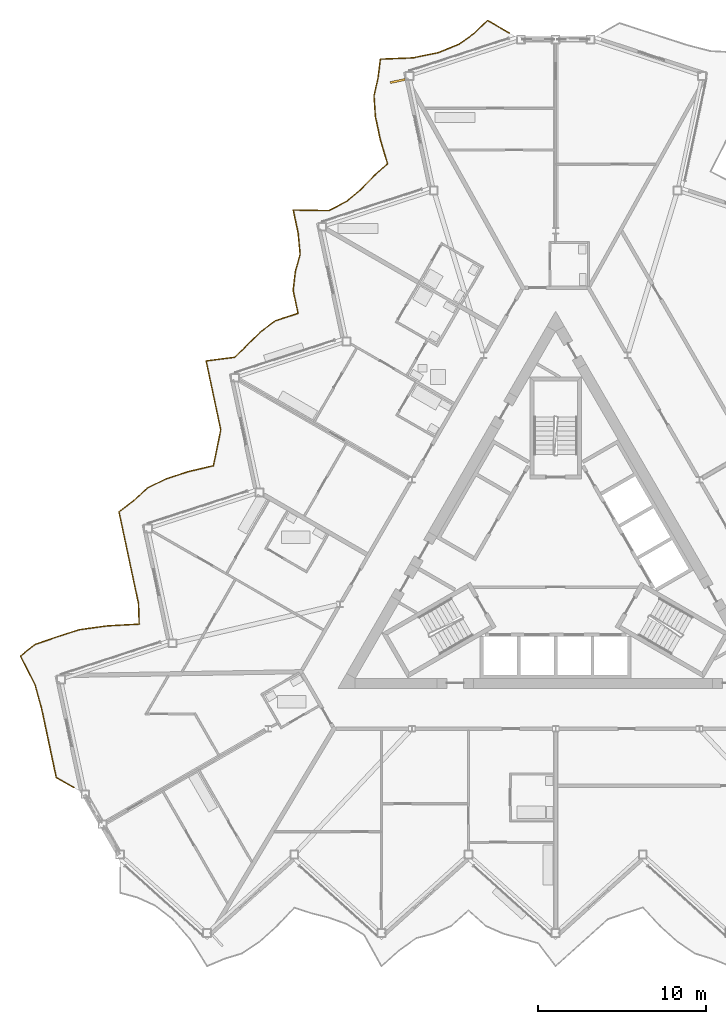
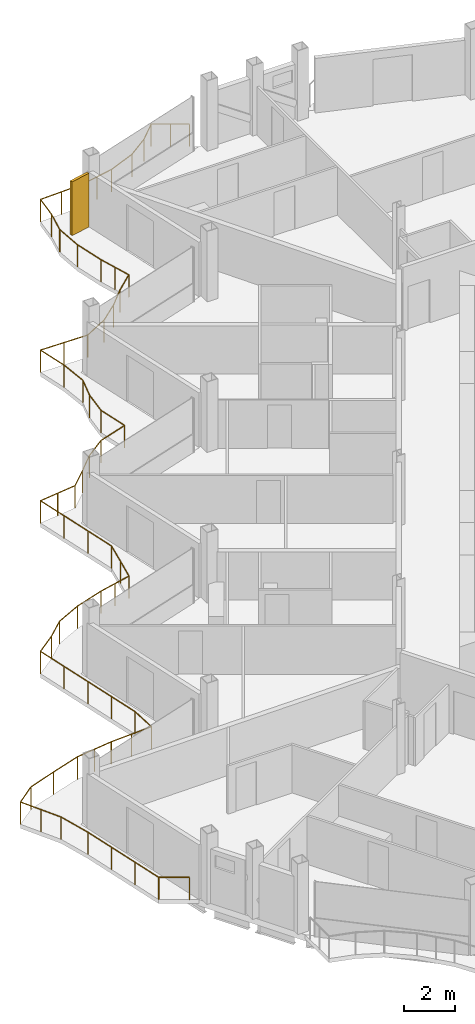
# One storey, part 24 of 26: 1 railing, 1 shading device.
"""IFC4 building model written with IfcOpenShell, lengths in metres."""

from ifc_helpers import new_model, si_unit, direction, frame, origin, origin_2d, place, context, subcontext, project, spatial, rectangle, circle, extrude, material, layer, layer_set, type_object, element, save


model = new_model("IFC4")

# Units and contexts
model_context = context("Model", 3, precision=1e-05, world=origin(), true_north=direction((0.0, 1.0)))
body_context = subcontext(model_context, "Body", "Model", "MODEL_VIEW")
ifc_project = project(units=[si_unit("LENGTHUNIT", "METRE"), si_unit("AREAUNIT", "SQUARE_METRE"), si_unit("VOLUMEUNIT", "CUBIC_METRE"), si_unit("PLANEANGLEUNIT", "RADIAN"), si_unit("MASSUNIT", "GRAM", prefix="KILO")], contexts=[model_context])

# Site, building, storey
site_placement = place(None, origin())
site = spatial("IfcSite", under=ifc_project, at=site_placement, CompositionType="ELEMENT")
building_placement = place(site_placement, origin())
building = spatial("IfcBuilding", under=site, at=building_placement, Name="Cormorant Prow Tower", CompositionType="ELEMENT")
storey_placement = place(building_placement, frame((0.0, 0.0, 381.39990234375)))
storey = spatial("IfcBuildingStorey", under=building, at=storey_placement, Name="L86", CompositionType="ELEMENT", Elevation=381.39990234375)

# Railing
ifc_material_1 = material(Name="Aluminium 6063-T6", Category="aluminium")
railing_type = type_object("IfcRailingType", Name="Balcony guard 1100", PredefinedType="GUARDRAIL", material=ifc_material_1)
railing_placement = place(storey_placement, frame((-2.752685546875, 31.611572265625, 0.0)))
element("IfcRailing", 1, at=railing_placement, inside=storey, type_object=railing_type, Name="Balcony guard WNW", PredefinedType="GUARDRAIL", context=body_context, shape_type="SweptSolid", body=[
    extrude(circle(Radius=0.02392578125, at=origin_2d()), frame((0.0, 0.0, 1.076171875), z_axis=(-0.866030456496, 0.499991248344, 0.0), x_axis=(-0.499991248344, -0.866030456496, 0.0)), (0.0, 0.0, 1.0), 1.52001953125),
    extrude(circle(Radius=0.02392578125, at=origin_2d()), frame((-1.31640625, 0.760009765625, 1.076171875), z_axis=(-0.710157290995, -0.704043054114, 0.0), x_axis=(0.704043054114, -0.710157290995, 0.0)), (0.0, 0.0, 1.0), 1.078125),
    extrude(circle(Radius=0.02392578125, at=origin_2d()), frame((-2.08203125, 0.0009765625, 1.076171875), z_axis=(-0.81488585966, -0.579621458993, 0.0), x_axis=(0.579621458993, -0.81488585966, 0.0)), (0.0, 0.0, 1.0), 1.1435546875),
    extrude(circle(Radius=0.02392578125, at=origin_2d()), frame((-3.013916015625, -0.661865234375, 1.076171875), z_axis=(-0.925200391586, -0.379478899821, 0.0), x_axis=(0.379478899821, -0.925200391586, 0.0)), (0.0, 0.0, 1.0), 1.314453125),
    extrude(circle(Radius=0.02392578125, at=origin_2d()), frame((-4.22998046875, -1.16064453125, 1.076171875), z_axis=(-0.979535760735, -0.201270200081, 0.0), x_axis=(0.201270200081, -0.979535760735, 0.0)), (0.0, 0.0, 1.0), 1.56591796875),
    extrude(circle(Radius=0.02392578125, at=origin_2d()), frame((-5.763916015625, -1.475830078125, 1.076171875), z_axis=(-0.999226169607, -0.039332708695, 0.0), x_axis=(0.039332708695, -0.999226169607, 0.0)), (0.0, 0.0, 1.0), 1.948974609375),
    extrude(circle(Radius=0.02392578125, at=origin_2d()), frame((-7.71142578125, -1.552490234375, 1.076171875), z_axis=(-0.120976497964, -0.992655371688, 0.0), x_axis=(0.992655371688, -0.120976497964, 0.0)), (0.0, 0.0, 1.0), 1.130126953125),
    extrude(circle(Radius=0.02392578125, at=origin_2d()), frame((-7.84814453125, -2.67431640625, 1.076171875), z_axis=(-0.223269557457, -0.974756741302, 0.0), x_axis=(0.974756741302, -0.223269557457, 0.0)), (0.0, 0.0, 1.0), 1.087890625),
    extrude(circle(Radius=0.02392578125, at=origin_2d()), frame((-8.091064453125, -3.73486328125, 1.076171875), z_axis=(0.066700231917, -0.9977730599, 0.0), x_axis=(0.9977730599, 0.066700231917, 0.0)), (0.0, 0.0, 1.0), 1.251708984375),
    extrude(circle(Radius=0.02392578125, at=origin_2d()), frame((-8.007568359375, -4.98388671875, 1.076171875), z_axis=(0.20777738218, -0.978176139279, 0.0), x_axis=(0.978176139279, 0.20777738218, 0.0)), (0.0, 0.0, 1.0), 1.3994140625),
    extrude(circle(Radius=0.02392578125, at=origin_2d()), frame((-7.716796875, -6.352783203125, 1.076171875), z_axis=(0.286134937078, -0.958189332952, 0.0), x_axis=(0.958189332952, 0.286134937078, 0.0)), (0.0, 0.0, 1.0), 1.514404296875),
    extrude(circle(Radius=0.02392578125, at=origin_2d()), frame((-7.283447265625, -7.803955078125, 1.076171875), z_axis=(-0.747433901023, -0.664336182668, 0.0), x_axis=(0.664336182668, -0.747433901023, 0.0)), (0.0, 0.0, 1.0), 1.095947265625),
    extrude(circle(Radius=0.02392578125, at=origin_2d()), frame((-8.1025390625, -8.531982421875, 1.076171875), z_axis=(-0.694232543676, -0.719750773047, 0.0), x_axis=(0.719750773047, -0.694232543676, 0.0)), (0.0, 0.0, 1.0), 1.071533203125),
    extrude(circle(Radius=0.02392578125, at=origin_2d()), frame((-8.846435546875, -9.30322265625, 1.076171875), z_axis=(-0.762042946586, -0.647526484059, 0.0), x_axis=(0.647526484059, -0.762042946586, 0.0)), (0.0, 0.0, 1.0), 1.104248046875),
    extrude(circle(Radius=0.02392578125, at=origin_2d()), frame((-9.68798828125, -10.018310546875, 1.076171875), z_axis=(-0.883254828522, -0.468893279855, 0.0), x_axis=(0.468893279855, -0.883254828522, 0.0)), (0.0, 0.0, 1.0), 1.226806640625),
    extrude(circle(Radius=0.02392578125, at=origin_2d()), frame((-10.771484375, -10.593505859375, 1.076171875), z_axis=(-0.999870634012, 0.016084627427, 0.0), x_axis=(-0.016084627427, -0.999870634012, 0.0)), (0.0, 0.0, 1.0), 2.14013671875),
    extrude(circle(Radius=0.02392578125, at=origin_2d()), frame((-12.911376953125, -10.55908203125, 1.076171875), z_axis=(0.207944297815, -0.978140669335, 0.0), x_axis=(0.978140669335, 0.207944297815, 0.0)), (0.0, 0.0, 1.0), 1.3994140625),
    extrude(circle(Radius=0.02392578125, at=origin_2d()), frame((-12.620361328125, -11.927978515625, 1.076171875), z_axis=(0.093969123422, -0.995575112105, 0.0), x_axis=(0.995575112105, 0.093969123422, 0.0)), (0.0, 0.0, 1.0), 1.275634765625),
    extrude(circle(Radius=0.02392578125, at=origin_2d()), frame((-12.50048828125, -13.197998046875, 1.076171875), z_axis=(-0.265768857958, -0.964036780491, 0.0), x_axis=(0.964036780491, -0.265768857958, 0.0)), (0.0, 0.0, 1.0), 1.07470703125),
    extrude(circle(Radius=0.02392578125, at=origin_2d()), frame((-12.7861328125, -14.234130859375, 1.076171875), z_axis=(-0.115278367878, -0.993333226012, 0.0), x_axis=(0.993333226012, -0.115278367878, 0.0)), (0.0, 0.0, 1.0), 1.133056640625),
    extrude(circle(Radius=0.02392578125, at=origin_2d()), frame((-12.916748046875, -15.359619140625, 1.076171875), z_axis=(0.207979786632, -0.978133124044, 0.0), x_axis=(0.978133124044, 0.207979786632, 0.0)), (0.0, 0.0, 1.0), 1.399169921875),
    extrude(circle(Radius=0.02392578125, at=origin_2d()), frame((-12.625732421875, -16.728271484375, 1.076171875), z_axis=(-0.951028941009, -0.309101849499, 0.0), x_axis=(0.309101849499, -0.951028941009, 0.0)), (0.0, 0.0, 1.0), 1.399658203125),
    extrude(circle(Radius=0.02392578125, at=origin_2d()), frame((-13.956787109375, -17.160888671875, 1.076171875), z_axis=(-0.807107706022, -0.590404226678, 0.0), x_axis=(0.590404226678, -0.807107706022, 0.0)), (0.0, 0.0, 1.0), 1.13671875),
    extrude(circle(Radius=0.02392578125, at=origin_2d()), frame((-14.874267578125, -17.83203125, 1.076171875), z_axis=(-0.702777909554, -0.711409312451, 0.0), x_axis=(0.711409312451, -0.702777909554, 0.0)), (0.0, 0.0, 1.0), 1.074951171875),
    extrude(circle(Radius=0.02392578125, at=origin_2d()), frame((-15.629638671875, -18.5966796875, 1.076171875), z_axis=(-0.71973960261, -0.694244124523, 0.0), x_axis=(0.694244124523, -0.71973960261, 0.0)), (0.0, 0.0, 1.0), 1.08203125),
    extrude(circle(Radius=0.02392578125, at=origin_2d()), frame((-16.408447265625, -19.347900390625, 1.076171875), z_axis=(-0.991921629668, -0.126852199808, 0.0), x_axis=(0.126852199808, -0.991921629668, 0.0)), (0.0, 0.0, 1.0), 1.716796875),
    extrude(circle(Radius=0.02392578125, at=origin_2d()), frame((-18.111328125, -19.565673828125, 1.076171875), z_axis=(0.207944297815, -0.978140669335, 0.0), x_axis=(0.978140669335, 0.207944297815, 0.0)), (0.0, 0.0, 1.0), 1.3994140625),
    extrude(circle(Radius=0.02392578125, at=origin_2d()), frame((-17.8203125, -20.9345703125, 1.076171875), z_axis=(0.207944297815, -0.978140669335, 0.0), x_axis=(0.978140669335, 0.207944297815, 0.0)), (0.0, 0.0, 1.0), 1.3994140625),
    extrude(circle(Radius=0.02392578125, at=origin_2d()), frame((-17.529296875, -22.303466796875, 1.076171875), z_axis=(0.20777738218, -0.978176139279, 0.0), x_axis=(0.978176139279, 0.20777738218, 0.0)), (0.0, 0.0, 1.0), 1.3994140625),
    extrude(circle(Radius=0.02392578125, at=origin_2d()), frame((-17.238525390625, -23.67236328125, 1.076171875), z_axis=(-0.195902319336, -0.980623414609, 0.0), x_axis=(0.980623414609, -0.195902319336, 0.0)), (0.0, 0.0, 1.0), 1.097900390625),
    extrude(circle(Radius=0.02392578125, at=origin_2d()), frame((-17.45361328125, -24.7490234375, 1.076171875), z_axis=(-0.203998769603, -0.978971144621, 0.0), x_axis=(0.978971144621, -0.203998769603, 0.0)), (0.0, 0.0, 1.0), 1.094970703125),
    extrude(circle(Radius=0.02392578125, at=origin_2d()), frame((-17.677001953125, -25.821044921875, 1.076171875), z_axis=(-0.973671491133, -0.227955757452, 0.0), x_axis=(0.227955757452, -0.973671491133, 0.0)), (0.0, 0.0, 1.0), 1.519775390625),
    extrude(circle(Radius=0.02392578125, at=origin_2d()), frame((-19.15673828125, -26.16748046875, 1.076171875), z_axis=(-0.951063554534, -0.308995332064, 0.0), x_axis=(0.308995332064, -0.951063554534, 0.0)), (0.0, 0.0, 1.0), 1.399169921875),
    extrude(circle(Radius=0.02392578125, at=origin_2d()), frame((-20.487548828125, -26.599853515625, 1.076171875), z_axis=(-0.899763253088, -0.43637837755, 0.0), x_axis=(0.43637837755, -0.899763253088, 0.0)), (0.0, 0.0, 1.0), 1.256591796875),
    extrude(circle(Radius=0.02392578125, at=origin_2d()), frame((-21.6181640625, -27.148193359375, 1.076171875), z_axis=(-0.733934542927, -0.679220204866, 0.0), x_axis=(0.679220204866, -0.733934542927, 0.0)), (0.0, 0.0, 1.0), 1.0888671875),
    extrude(circle(Radius=0.02392578125, at=origin_2d()), frame((-22.417236328125, -27.8876953125, 1.076171875), z_axis=(-0.794056234452, -0.607844302867, 0.0), x_axis=(0.607844302867, -0.794056234452, 0.0)), (0.0, 0.0, 1.0), 1.126220703125),
    extrude(circle(Radius=0.02392578125, at=origin_2d()), frame((-23.3115234375, -28.572265625, 1.076171875), z_axis=(0.207944297815, -0.978140669335, 0.0), x_axis=(0.978140669335, 0.207944297815, 0.0)), (0.0, 0.0, 1.0), 1.3994140625),
    extrude(circle(Radius=0.02392578125, at=origin_2d()), frame((-23.0205078125, -29.941162109375, 1.076171875), z_axis=(0.207944297815, -0.978140669335, 0.0), x_axis=(0.978140669335, 0.207944297815, 0.0)), (0.0, 0.0, 1.0), 1.3994140625),
    extrude(circle(Radius=0.02392578125, at=origin_2d()), frame((-22.7294921875, -31.31005859375, 1.076171875), z_axis=(0.207944297815, -0.978140669335, 0.0), x_axis=(0.978140669335, 0.207944297815, 0.0)), (0.0, 0.0, 1.0), 1.3994140625),
    extrude(circle(Radius=0.02392578125, at=origin_2d()), frame((-22.4384765625, -32.678955078125, 1.076171875), z_axis=(0.207944297815, -0.978140669335, 0.0), x_axis=(0.978140669335, 0.207944297815, 0.0)), (0.0, 0.0, 1.0), 1.3994140625),
    extrude(circle(Radius=0.02392578125, at=origin_2d()), frame((-22.1474609375, -34.0478515625, 1.076171875), z_axis=(0.032890054051, -0.999458975819, 0.0), x_axis=(0.999458975819, 0.032890054051, 0.0)), (0.0, 0.0, 1.0), 1.224853515625),
    extrude(circle(Radius=0.02392578125, at=origin_2d()), frame((-22.107177734375, -35.27197265625, 1.076171875), z_axis=(-0.998466276109, -0.055363304387, 0.0), x_axis=(0.055363304387, -0.998466276109, 0.0)), (0.0, 0.0, 1.0), 1.900634765625),
    extrude(circle(Radius=0.02392578125, at=origin_2d()), frame((-24.0048828125, -35.377197265625, 1.076171875), z_axis=(-0.990826668367, -0.13513886655, 0.0), x_axis=(0.13513886655, -0.990826668367, 0.0)), (0.0, 0.0, 1.0), 1.6982421875),
    extrude(circle(Radius=0.02392578125, at=origin_2d()), frame((-25.6875, -35.606689453125, 1.076171875), z_axis=(-0.951080208938, -0.308944066403, 0.0), x_axis=(0.308944066403, -0.951080208938, 0.0)), (0.0, 0.0, 1.0), 1.3994140625),
    extrude(circle(Radius=0.02392578125, at=origin_2d()), frame((-27.0185546875, -36.0390625, 1.076171875), z_axis=(-0.945592977714, -0.325351994767, 0.0), x_axis=(0.325351994767, -0.945592977714, 0.0)), (0.0, 0.0, 1.0), 1.37841796875),
    extrude(circle(Radius=0.02392578125, at=origin_2d()), frame((-28.322021484375, -36.487548828125, 1.076171875), z_axis=(-0.781593284151, -0.62378837611, 0.0), x_axis=(0.62378837611, -0.781593284151, 0.0)), (0.0, 0.0, 1.0), 1.116943359375),
    extrude(circle(Radius=0.02392578125, at=origin_2d()), frame((-29.195068359375, -37.184326171875, 1.076171875), z_axis=(0.456008801075, -0.889975265579, 0.0), x_axis=(0.889975265579, 0.456008801075, 0.0)), (0.0, 0.0, 1.0), 1.916259765625),
    extrude(circle(Radius=0.02392578125, at=origin_2d()), frame((-28.3212890625, -38.8896484375, 1.076171875), z_axis=(0.264792186172, -0.964305500421, 0.0), x_axis=(0.964305500421, 0.264792186172, 0.0)), (0.0, 0.0, 1.0), 1.479736328125),
    extrude(circle(Radius=0.02392578125, at=origin_2d()), frame((-27.929443359375, -40.316650390625, 1.076171875), z_axis=(0.207908820833, -0.978148210764, 0.0), x_axis=(0.978148210764, 0.207908820833, 0.0)), (0.0, 0.0, 1.0), 1.399658203125),
    extrude(circle(Radius=0.02392578125, at=origin_2d()), frame((-27.638427734375, -41.685791015625, 1.076171875), z_axis=(0.207944297815, -0.978140669335, 0.0), x_axis=(0.978140669335, 0.207944297815, 0.0)), (0.0, 0.0, 1.0), 1.3994140625),
    extrude(circle(Radius=0.02392578125, at=origin_2d()), frame((-27.347412109375, -43.0546875, 1.076171875), z_axis=(0.207812845083, -0.978168605823, 0.0), x_axis=(0.978168605823, 0.207812845083, 0.0)), (0.0, 0.0, 1.0), 1.399169921875),
    extrude(circle(Radius=0.02392578125, at=origin_2d()), frame((-27.056640625, -44.42333984375, 1.076171875), z_axis=(0.866005645448, -0.500034220881, 0.0), x_axis=(0.500034220881, 0.866005645448, 0.0)), (0.0, 0.0, 1.0), 1.22021484375),
    extrude(circle(Radius=0.02099609375, at=origin_2d()), origin(), (0.0, 0.0, 1.0), 1.052001953125),
    extrude(circle(Radius=0.02099609375, at=origin_2d()), frame((-0.658203125, 0.3798828125, 0.0)), (0.0, 0.0, 1.0), 1.052001953125),
    extrude(circle(Radius=0.02099609375, at=origin_2d()), frame((-1.31640625, 0.760009765625, 0.0)), (0.0, 0.0, 1.0), 1.052001953125),
    extrude(circle(Radius=0.02099609375, at=origin_2d()), frame((-2.08203125, 0.0009765625, 0.0)), (0.0, 0.0, 1.0), 1.052001953125),
    extrude(circle(Radius=0.02099609375, at=origin_2d()), frame((-3.013916015625, -0.661865234375, 0.0)), (0.0, 0.0, 1.0), 1.052001953125),
    extrude(circle(Radius=0.02099609375, at=origin_2d()), frame((-4.22998046875, -1.16064453125, 0.0)), (0.0, 0.0, 1.0), 1.052001953125),
    extrude(circle(Radius=0.02099609375, at=origin_2d()), frame((-4.9970703125, -1.318359375, 0.0)), (0.0, 0.0, 1.0), 1.052001953125),
    extrude(circle(Radius=0.02099609375, at=origin_2d()), frame((-5.763916015625, -1.475830078125, 0.0)), (0.0, 0.0, 1.0), 1.052001953125),
    extrude(circle(Radius=0.02099609375, at=origin_2d()), frame((-6.73779296875, -1.51416015625, 0.0)), (0.0, 0.0, 1.0), 1.052001953125),
    extrude(circle(Radius=0.02099609375, at=origin_2d()), frame((-7.71142578125, -1.552490234375, 0.0)), (0.0, 0.0, 1.0), 1.052001953125),
    extrude(circle(Radius=0.02099609375, at=origin_2d()), frame((-7.84814453125, -2.67431640625, 0.0)), (0.0, 0.0, 1.0), 1.052001953125),
    extrude(circle(Radius=0.02099609375, at=origin_2d()), frame((-8.091064453125, -3.73486328125, 0.0)), (0.0, 0.0, 1.0), 1.052001953125),
    extrude(circle(Radius=0.02099609375, at=origin_2d()), frame((-8.007568359375, -4.98388671875, 0.0)), (0.0, 0.0, 1.0), 1.052001953125),
    extrude(circle(Radius=0.02099609375, at=origin_2d()), frame((-7.716796875, -6.352783203125, 0.0)), (0.0, 0.0, 1.0), 1.052001953125),
    extrude(circle(Radius=0.02099609375, at=origin_2d()), frame((-7.5, -7.078369140625, 0.0)), (0.0, 0.0, 1.0), 1.052001953125),
    extrude(circle(Radius=0.02099609375, at=origin_2d()), frame((-7.283447265625, -7.803955078125, 0.0)), (0.0, 0.0, 1.0), 1.052001953125),
    extrude(circle(Radius=0.02099609375, at=origin_2d()), frame((-8.1025390625, -8.531982421875, 0.0)), (0.0, 0.0, 1.0), 1.052001953125),
    extrude(circle(Radius=0.02099609375, at=origin_2d()), frame((-8.846435546875, -9.30322265625, 0.0)), (0.0, 0.0, 1.0), 1.052001953125),
    extrude(circle(Radius=0.02099609375, at=origin_2d()), frame((-9.68798828125, -10.018310546875, 0.0)), (0.0, 0.0, 1.0), 1.052001953125),
    extrude(circle(Radius=0.02099609375, at=origin_2d()), frame((-10.771484375, -10.593505859375, 0.0)), (0.0, 0.0, 1.0), 1.052001953125),
    extrude(circle(Radius=0.02099609375, at=origin_2d()), frame((-11.84130859375, -10.576171875, 0.0)), (0.0, 0.0, 1.0), 1.052001953125),
    extrude(circle(Radius=0.02099609375, at=origin_2d()), frame((-12.911376953125, -10.55908203125, 0.0)), (0.0, 0.0, 1.0), 1.052001953125),
    extrude(circle(Radius=0.02099609375, at=origin_2d()), frame((-12.620361328125, -11.927978515625, 0.0)), (0.0, 0.0, 1.0), 1.052001953125),
    extrude(circle(Radius=0.02099609375, at=origin_2d()), frame((-12.50048828125, -13.197998046875, 0.0)), (0.0, 0.0, 1.0), 1.052001953125),
    extrude(circle(Radius=0.02099609375, at=origin_2d()), frame((-12.7861328125, -14.234130859375, 0.0)), (0.0, 0.0, 1.0), 1.052001953125),
    extrude(circle(Radius=0.02099609375, at=origin_2d()), frame((-12.916748046875, -15.359619140625, 0.0)), (0.0, 0.0, 1.0), 1.052001953125),
    extrude(circle(Radius=0.02099609375, at=origin_2d()), frame((-12.625732421875, -16.728271484375, 0.0)), (0.0, 0.0, 1.0), 1.052001953125),
    extrude(circle(Radius=0.02099609375, at=origin_2d()), frame((-13.956787109375, -17.160888671875, 0.0)), (0.0, 0.0, 1.0), 1.052001953125),
    extrude(circle(Radius=0.02099609375, at=origin_2d()), frame((-14.874267578125, -17.83203125, 0.0)), (0.0, 0.0, 1.0), 1.052001953125),
    extrude(circle(Radius=0.02099609375, at=origin_2d()), frame((-15.629638671875, -18.5966796875, 0.0)), (0.0, 0.0, 1.0), 1.052001953125),
    extrude(circle(Radius=0.02099609375, at=origin_2d()), frame((-16.408447265625, -19.347900390625, 0.0)), (0.0, 0.0, 1.0), 1.052001953125),
    extrude(circle(Radius=0.02099609375, at=origin_2d()), frame((-17.259765625, -19.456787109375, 0.0)), (0.0, 0.0, 1.0), 1.052001953125),
    extrude(circle(Radius=0.02099609375, at=origin_2d()), frame((-18.111328125, -19.565673828125, 0.0)), (0.0, 0.0, 1.0), 1.052001953125),
    extrude(circle(Radius=0.02099609375, at=origin_2d()), frame((-17.8203125, -20.9345703125, 0.0)), (0.0, 0.0, 1.0), 1.052001953125),
    extrude(circle(Radius=0.02099609375, at=origin_2d()), frame((-17.529296875, -22.303466796875, 0.0)), (0.0, 0.0, 1.0), 1.052001953125),
    extrude(circle(Radius=0.02099609375, at=origin_2d()), frame((-17.238525390625, -23.67236328125, 0.0)), (0.0, 0.0, 1.0), 1.052001953125),
    extrude(circle(Radius=0.02099609375, at=origin_2d()), frame((-17.45361328125, -24.7490234375, 0.0)), (0.0, 0.0, 1.0), 1.052001953125),
    extrude(circle(Radius=0.02099609375, at=origin_2d()), frame((-17.677001953125, -25.821044921875, 0.0)), (0.0, 0.0, 1.0), 1.052001953125),
    extrude(circle(Radius=0.02099609375, at=origin_2d()), frame((-18.4169921875, -25.994140625, 0.0)), (0.0, 0.0, 1.0), 1.052001953125),
    extrude(circle(Radius=0.02099609375, at=origin_2d()), frame((-19.15673828125, -26.16748046875, 0.0)), (0.0, 0.0, 1.0), 1.052001953125),
    extrude(circle(Radius=0.02099609375, at=origin_2d()), frame((-20.487548828125, -26.599853515625, 0.0)), (0.0, 0.0, 1.0), 1.052001953125),
    extrude(circle(Radius=0.02099609375, at=origin_2d()), frame((-21.6181640625, -27.148193359375, 0.0)), (0.0, 0.0, 1.0), 1.052001953125),
    extrude(circle(Radius=0.02099609375, at=origin_2d()), frame((-22.417236328125, -27.8876953125, 0.0)), (0.0, 0.0, 1.0), 1.052001953125),
    extrude(circle(Radius=0.02099609375, at=origin_2d()), frame((-23.3115234375, -28.572265625, 0.0)), (0.0, 0.0, 1.0), 1.052001953125),
    extrude(circle(Radius=0.02099609375, at=origin_2d()), frame((-23.0205078125, -29.941162109375, 0.0)), (0.0, 0.0, 1.0), 1.052001953125),
    extrude(circle(Radius=0.02099609375, at=origin_2d()), frame((-22.7294921875, -31.31005859375, 0.0)), (0.0, 0.0, 1.0), 1.052001953125),
    extrude(circle(Radius=0.02099609375, at=origin_2d()), frame((-22.4384765625, -32.678955078125, 0.0)), (0.0, 0.0, 1.0), 1.052001953125),
    extrude(circle(Radius=0.02099609375, at=origin_2d()), frame((-22.1474609375, -34.0478515625, 0.0)), (0.0, 0.0, 1.0), 1.052001953125),
    extrude(circle(Radius=0.02099609375, at=origin_2d()), frame((-22.107177734375, -35.27197265625, 0.0)), (0.0, 0.0, 1.0), 1.052001953125),
    extrude(circle(Radius=0.02099609375, at=origin_2d()), frame((-23.05615234375, -35.32470703125, 0.0)), (0.0, 0.0, 1.0), 1.052001953125),
    extrude(circle(Radius=0.02099609375, at=origin_2d()), frame((-24.0048828125, -35.377197265625, 0.0)), (0.0, 0.0, 1.0), 1.052001953125),
    extrude(circle(Radius=0.02099609375, at=origin_2d()), frame((-24.84619140625, -35.491943359375, 0.0)), (0.0, 0.0, 1.0), 1.052001953125),
    extrude(circle(Radius=0.02099609375, at=origin_2d()), frame((-25.6875, -35.606689453125, 0.0)), (0.0, 0.0, 1.0), 1.052001953125),
    extrude(circle(Radius=0.02099609375, at=origin_2d()), frame((-27.0185546875, -36.0390625, 0.0)), (0.0, 0.0, 1.0), 1.052001953125),
    extrude(circle(Radius=0.02099609375, at=origin_2d()), frame((-28.322021484375, -36.487548828125, 0.0)), (0.0, 0.0, 1.0), 1.052001953125),
    extrude(circle(Radius=0.02099609375, at=origin_2d()), frame((-29.195068359375, -37.184326171875, 0.0)), (0.0, 0.0, 1.0), 1.052001953125),
    extrude(circle(Radius=0.02099609375, at=origin_2d()), frame((-28.75830078125, -38.037109375, 0.0)), (0.0, 0.0, 1.0), 1.052001953125),
    extrude(circle(Radius=0.02099609375, at=origin_2d()), frame((-28.3212890625, -38.8896484375, 0.0)), (0.0, 0.0, 1.0), 1.052001953125),
    extrude(circle(Radius=0.02099609375, at=origin_2d()), frame((-27.929443359375, -40.316650390625, 0.0)), (0.0, 0.0, 1.0), 1.052001953125),
    extrude(circle(Radius=0.02099609375, at=origin_2d()), frame((-27.638427734375, -41.685791015625, 0.0)), (0.0, 0.0, 1.0), 1.052001953125),
    extrude(circle(Radius=0.02099609375, at=origin_2d()), frame((-27.347412109375, -43.0546875, 0.0)), (0.0, 0.0, 1.0), 1.052001953125),
    extrude(circle(Radius=0.02099609375, at=origin_2d()), frame((-27.056640625, -44.42333984375, 0.0)), (0.0, 0.0, 1.0), 1.052001953125),
    extrude(circle(Radius=0.02099609375, at=origin_2d()), frame((-26.0, -45.033447265625, 0.0)), (0.0, 0.0, 1.0), 1.052001953125),
])

# Shading device
ifc_material_2 = material(Name="Terracotta", Category="masonry")
ifc_layer = layer(ifc_material_2, 0.1201171875)
ifc_layer_set = layer_set([ifc_layer], Name="Terracotta")
shading_device_type = type_object("IfcShadingDeviceType", Name="Terracotta baguette fin 120x900x2600", PredefinedType="USERDEFINED", material=ifc_layer_set)
shading_device_placement = place(storey_placement, frame((-9.429931640625, 28.7490234375, 0.0), z_axis=(0.0, 0.0, 1.0), x_axis=(0.207911785891, -0.978147580525, 0.0)))
element("IfcShadingDevice", 2, at=shading_device_placement, inside=storey, type_object=shading_device_type, Name="Baguette fin WNW01", ObjectType="BAGUETTE", PredefinedType="USERDEFINED", context=body_context, shape_type="SweptSolid", body=[
    extrude(rectangle(XDim=0.1201171875, YDim=0.89990234375, at=origin_2d()), origin(), (0.0, 0.0, 1.0), 2.60009765625),
])

save(model, "model.ifc")
